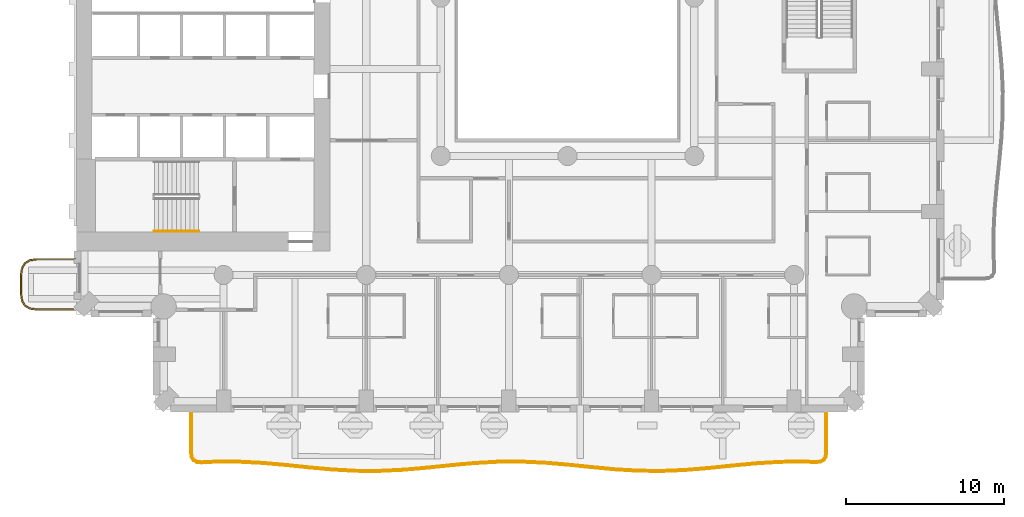
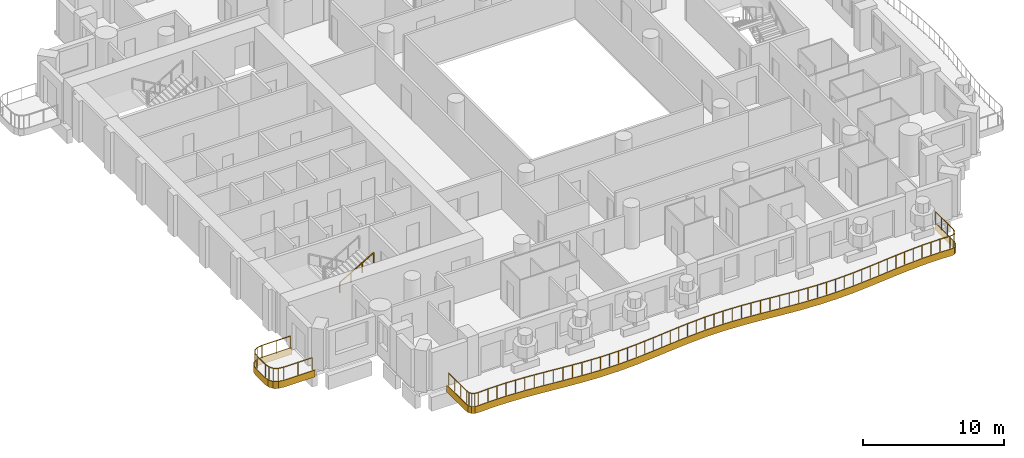
# One storey, part 13 of 20: 3 railings, 2 coverings.
"""IFC4 building model written with IfcOpenShell, lengths in metres."""

from ifc_helpers import new_model, si_unit, direction, frame, origin, origin_2d, place, context, subcontext, project, spatial, polyline, rectangle, outline, extrude, material, layer, layer_set, type_object, element, save


model = new_model("IFC4")

# Units and contexts
model_context = context("Model", 3, precision=1e-05, world=origin(), true_north=direction((0.0, 1.0)))
body_context = subcontext(model_context, "Body", "Model", "MODEL_VIEW")
ifc_project = project(units=[si_unit("LENGTHUNIT", "METRE"), si_unit("AREAUNIT", "SQUARE_METRE"), si_unit("VOLUMEUNIT", "CUBIC_METRE"), si_unit("PLANEANGLEUNIT", "RADIAN"), si_unit("MASSUNIT", "GRAM", prefix="KILO")], contexts=[model_context])

# Site, building, storey
site_placement = place(None, origin())
site = spatial("IfcSite", under=ifc_project, at=site_placement, CompositionType="ELEMENT")
building_placement = place(site_placement, origin())
building = spatial("IfcBuilding", under=site, at=building_placement, Name="Cypress Arch Tower", CompositionType="ELEMENT")
storey_placement = place(building_placement, frame((0.0, 0.0, 62.699951171875)))
storey = spatial("IfcBuildingStorey", under=building, at=storey_placement, Name="L09", CompositionType="ELEMENT", Elevation=62.699951171875)

# Coverings
ifc_material_1 = material(Name="White powder-coated aluminium fascia", Category="aluminium")
ifc_layer = layer(ifc_material_1, 0.050048828125)
ifc_layer_set = layer_set([ifc_layer], Name="Balcony fascia BF50")
covering_type = type_object("IfcCoveringType", Name="Balcony fascia BF50", PredefinedType="CLADDING", material=ifc_layer_set)
covering_1_placement = place(storey_placement, frame((0.0, 0.0, -0.599853515625)))
element("IfcCovering", 1, at=covering_1_placement, inside=storey, type_object=covering_type, Name="Balcony fascia L09-A00W1", PredefinedType="CLADDING", context=body_context, shape_type="SweptSolid", body=[
    extrude(outline(polyline([(-32.503662109375, -19.75), (-32.95458984375, -19.685546875), (-33.286376953125, -19.486328125), (-33.485595703125, -19.154541015625), (-33.550048828125, -18.70361328125), (-33.550048828125, -17.496337890625), (-33.485595703125, -17.04541015625), (-33.286376953125, -16.713623046875), (-32.95458984375, -16.514404296875), (-32.503662109375, -16.449951171875), (-30.0009765625, -16.449951171875), (-30.0009765625, -16.5), (-32.5, -16.5), (-32.9375, -16.5625), (-33.25, -16.75), (-33.4375, -17.0625), (-33.5, -17.5), (-33.5, -18.699951171875), (-33.4375, -19.137451171875), (-33.25, -19.449951171875), (-32.9375, -19.637451171875), (-32.5, -19.699951171875), (-30.0009765625, -19.699951171875), (-30.0009765625, -19.75), (-32.503662109375, -19.75)])), origin(), (0.0, 0.0, 1.0), 0.599853515625),
])
covering_2_placement = place(storey_placement, frame((0.0, 0.0, -0.599853515625)))
element("IfcCovering", 2, at=covering_2_placement, inside=storey, type_object=covering_type, Name="Balcony fascia L09-A03", PredefinedType="CLADDING", context=body_context, shape_type="SweptSolid", body=[
    extrude(outline(polyline([(17.39990234375, -28.695068359375), (17.356201171875, -29.0), (17.21875, -29.223876953125), (16.989501953125, -29.3525390625), (16.683349609375, -29.384521484375), (15.8642578125, -29.3525390625), (14.381591796875, -29.37255859375), (12.8984375, -29.465576171875), (11.414306640625, -29.60693359375), (9.9287109375, -29.759765625), (8.442138671875, -29.8837890625), (6.95458984375, -29.9462890625), (5.466796875, -29.9306640625), (3.9794921875, -29.84130859375), (2.4931640625, -29.70166015625), (1.00830078125, -29.54833984375), (-0.4755859375, -29.421875), (-1.958251953125, -29.35546875), (-3.44091796875, -29.365966796875), (-4.924072265625, -29.451416015625), (-6.408203125, -29.588623046875), (-7.893310546875, -29.7421875), (-9.3798828125, -29.87158203125), (-10.867431640625, -29.942626953125), (-12.355224609375, -29.936767578125), (-13.842529296875, -29.855224609375), (-15.328857421875, -29.719970703125), (-16.81396484375, -29.566162109375), (-18.2978515625, -29.4345703125), (-19.78076171875, -29.359375), (-21.263427734375, -29.360595703125), (-22.08251953125, -29.4033203125), (-22.388916015625, -29.375244140625), (-22.618408203125, -29.249267578125), (-22.75634765625, -29.026611328125), (-22.800048828125, -28.72216796875), (-22.800048828125, -26.0009765625), (-22.75, -26.0009765625), (-22.75, -28.71875), (-22.708251953125, -29.00927734375), (-22.5830078125, -29.2119140625), (-22.3740234375, -29.326416015625), (-22.081787109375, -29.35302734375), (-21.264892578125, -29.310546875), (-19.779541015625, -29.309326171875), (-18.29443359375, -29.384521484375), (-16.809326171875, -29.516357421875), (-15.323974609375, -29.670166015625), (-13.8388671875, -29.805419921875), (-12.353759765625, -29.88671875), (-10.868408203125, -29.892822265625), (-9.38330078125, -29.82177734375), (-7.898193359375, -29.692626953125), (-6.412841796875, -29.5390625), (-4.927734375, -29.4013671875), (-3.442626953125, -29.316162109375), (-1.95751953125, -29.305419921875), (-0.47216796875, -29.3720703125), (1.012939453125, -29.498779296875), (2.498046875, -29.65185546875), (3.9833984375, -29.79150390625), (5.468505859375, -29.880859375), (6.95361328125, -29.896240234375), (8.43896484375, -29.833984375), (9.924072265625, -29.7099609375), (11.4091796875, -29.557373046875), (12.89453125, -29.415771484375), (14.379638671875, -29.32275390625), (15.86474609375, -29.302490234375), (16.681640625, -29.334228515625), (16.97412109375, -29.303955078125), (17.182861328125, -29.186767578125), (17.308349609375, -28.982666015625), (17.35009765625, -28.691650390625), (17.35009765625, -26.0009765625), (17.39990234375, -26.0009765625), (17.39990234375, -28.695068359375)])), origin(), (0.0, 0.0, 1.0), 0.599853515625),
])

# Railings
ifc_material_2 = material(Name="Powder-coated steel posts and rods, 100 mm clear between rods", Category="steel")
railing_type_1 = type_object("IfcRailingType", Name="Balcony guard GR1100", PredefinedType="GUARDRAIL", material=ifc_material_2)
railing_1_placement = place(storey_placement, frame((-30.14990234375, -19.64990234375, 0.0)))
element("IfcRailing", 3, at=railing_1_placement, inside=storey, type_object=railing_type_1, Name="Balcony guard L09-A00W1", PredefinedType="GUARDRAIL", context=body_context, shape_type="SweptSolid", body=[
    extrude(rectangle(XDim=0.050048828125, YDim=0.050048828125, at=origin_2d()), frame((0.0, 0.0, 1.0751953125), z_axis=(-1.0, 0.0, 0.0), x_axis=(0.0, -1.0, 0.0)), (0.0, 0.0, 1.0), 2.346435546875),
    extrude(rectangle(XDim=0.050048828125, YDim=0.050048828125, at=origin_2d()), frame((-2.346435546875, 0.0, 1.0751953125), z_axis=(-0.989960888959, 0.141341566184, 0.0), x_axis=(-0.141341566184, -0.989960888959, 0.0)), (0.0, 0.0, 1.0), 0.428466796875),
    extrude(rectangle(XDim=0.050048828125, YDim=0.050048828125, at=origin_2d()), frame((-2.7705078125, 0.060546875, 1.0751953125), z_axis=(-0.857681904839, 0.514180659021, 0.0), x_axis=(-0.514180659021, -0.857681904839, 0.0)), (0.0, 0.0, 1.0), 0.341796875),
    extrude(rectangle(XDim=0.050048828125, YDim=0.050048828125, at=origin_2d()), frame((-3.063720703125, 0.236328125, 1.0751953125), z_axis=(-0.514180659021, 0.857681904839, 0.0), x_axis=(-0.857681904839, -0.514180659021, 0.0)), (0.0, 0.0, 1.0), 0.341796875),
    extrude(rectangle(XDim=0.050048828125, YDim=0.050048828125, at=origin_2d()), frame((-3.239501953125, 0.529541015625, 1.0751953125), z_axis=(-0.141421356237, 0.989949493661, 0.0), x_axis=(-0.989949493661, -0.141421356237, 0.0)), (0.0, 0.0, 1.0), 0.42822265625),
    extrude(rectangle(XDim=0.050048828125, YDim=0.050048828125, at=origin_2d()), frame((-3.300048828125, 0.953369140625, 1.0751953125), z_axis=(0.0, 1.0, 0.0), x_axis=(-1.0, 0.0, 0.0)), (0.0, 0.0, 1.0), 1.19287109375),
    extrude(rectangle(XDim=0.050048828125, YDim=0.050048828125, at=origin_2d()), frame((-3.300048828125, 2.146240234375, 1.0751953125), z_axis=(0.141341566184, 0.989960888959, 0.0), x_axis=(-0.989960888959, 0.141341566184, 0.0)), (0.0, 0.0, 1.0), 0.428466796875),
    extrude(rectangle(XDim=0.050048828125, YDim=0.050048828125, at=origin_2d()), frame((-3.239501953125, 2.5703125, 1.0751953125), z_axis=(0.514180659021, 0.857681904839, 0.0), x_axis=(-0.857681904839, 0.514180659021, 0.0)), (0.0, 0.0, 1.0), 0.341796875),
    extrude(rectangle(XDim=0.050048828125, YDim=0.050048828125, at=origin_2d()), frame((-3.063720703125, 2.863525390625, 1.0751953125), z_axis=(0.857681904839, 0.514180659021, 0.0), x_axis=(-0.514180659021, 0.857681904839, 0.0)), (0.0, 0.0, 1.0), 0.341796875),
    extrude(rectangle(XDim=0.050048828125, YDim=0.050048828125, at=origin_2d()), frame((-2.7705078125, 3.039306640625, 1.0751953125), z_axis=(0.989960888959, 0.141341566184, 0.0), x_axis=(-0.141341566184, 0.989960888959, 0.0)), (0.0, 0.0, 1.0), 0.428466796875),
    extrude(rectangle(XDim=0.050048828125, YDim=0.050048828125, at=origin_2d()), frame((-2.346435546875, 3.099853515625, 1.0751953125), z_axis=(1.0, 0.0, 0.0), x_axis=(0.0, 1.0, 0.0)), (0.0, 0.0, 1.0), 2.346435546875),
    extrude(rectangle(XDim=0.0400390625, YDim=0.0400390625, at=origin_2d()), origin(), (0.0, 0.0, 1.0), 1.050048828125),
    extrude(rectangle(XDim=0.0400390625, YDim=0.0400390625, at=origin_2d()), frame((-1.17333984375, 0.0, 0.0)), (0.0, 0.0, 1.0), 1.050048828125),
    extrude(rectangle(XDim=0.0400390625, YDim=0.0400390625, at=origin_2d()), frame((-2.346435546875, 0.0, 0.0)), (0.0, 0.0, 1.0), 1.050048828125),
    extrude(rectangle(XDim=0.0400390625, YDim=0.0400390625, at=origin_2d()), frame((-2.7705078125, 0.060546875, 0.0)), (0.0, 0.0, 1.0), 1.050048828125),
    extrude(rectangle(XDim=0.0400390625, YDim=0.0400390625, at=origin_2d()), frame((-3.063720703125, 0.236328125, 0.0)), (0.0, 0.0, 1.0), 1.050048828125),
    extrude(rectangle(XDim=0.0400390625, YDim=0.0400390625, at=origin_2d()), frame((-3.239501953125, 0.529541015625, 0.0)), (0.0, 0.0, 1.0), 1.050048828125),
    extrude(rectangle(XDim=0.0400390625, YDim=0.0400390625, at=origin_2d()), frame((-3.300048828125, 0.953369140625, 0.0)), (0.0, 0.0, 1.0), 1.050048828125),
    extrude(rectangle(XDim=0.0400390625, YDim=0.0400390625, at=origin_2d()), frame((-3.300048828125, 2.146240234375, 0.0)), (0.0, 0.0, 1.0), 1.050048828125),
    extrude(rectangle(XDim=0.0400390625, YDim=0.0400390625, at=origin_2d()), frame((-3.239501953125, 2.5703125, 0.0)), (0.0, 0.0, 1.0), 1.050048828125),
    extrude(rectangle(XDim=0.0400390625, YDim=0.0400390625, at=origin_2d()), frame((-3.063720703125, 2.863525390625, 0.0)), (0.0, 0.0, 1.0), 1.050048828125),
    extrude(rectangle(XDim=0.0400390625, YDim=0.0400390625, at=origin_2d()), frame((-2.7705078125, 3.039306640625, 0.0)), (0.0, 0.0, 1.0), 1.050048828125),
    extrude(rectangle(XDim=0.0400390625, YDim=0.0400390625, at=origin_2d()), frame((-2.346435546875, 3.099853515625, 0.0)), (0.0, 0.0, 1.0), 1.050048828125),
    extrude(rectangle(XDim=0.0400390625, YDim=0.0400390625, at=origin_2d()), frame((-1.17333984375, 3.099853515625, 0.0)), (0.0, 0.0, 1.0), 1.050048828125),
    extrude(rectangle(XDim=0.0400390625, YDim=0.0400390625, at=origin_2d()), frame((0.0, 3.099853515625, 0.0)), (0.0, 0.0, 1.0), 1.050048828125),
])
railing_2_placement = place(storey_placement, frame((17.300048828125, -26.14990234375, 0.0)))
element("IfcRailing", 4, at=railing_2_placement, inside=storey, type_object=railing_type_1, Name="Balcony guard L09-A03", PredefinedType="GUARDRAIL", context=body_context, shape_type="SweptSolid", body=[
    extrude(rectangle(XDim=0.050048828125, YDim=0.050048828125, at=origin_2d()), frame((0.0, 0.0, 1.0751953125), z_axis=(0.0, -1.0, 0.0), x_axis=(1.0, 0.0, 0.0)), (0.0, 0.0, 1.0), 2.5380859375),
    extrude(rectangle(XDim=0.050048828125, YDim=0.050048828125, at=origin_2d()), frame((0.0, -2.5380859375, 1.0751953125), z_axis=(-0.142031279674, -0.989862169999, 0.0), x_axis=(0.989862169999, -0.142031279674, 0.0)), (0.0, 0.0, 1.0), 0.2802734375),
    extrude(rectangle(XDim=0.050048828125, YDim=0.050048828125, at=origin_2d()), frame((-0.039794921875, -2.8154296875, 1.0751953125), z_axis=(-0.523277432181, -0.852162384156, 0.0), x_axis=(0.852162384156, -0.523277432181, 0.0)), (0.0, 0.0, 1.0), 0.216064453125),
    extrude(rectangle(XDim=0.050048828125, YDim=0.050048828125, at=origin_2d()), frame((-0.15283203125, -2.99951171875, 1.0751953125), z_axis=(-0.871966889501, -0.489564851285, 0.0), x_axis=(0.489564851285, -0.871966889501, 0.0)), (0.0, 0.0, 1.0), 0.216552734375),
    extrude(rectangle(XDim=0.050048828125, YDim=0.050048828125, at=origin_2d()), frame((-0.341552734375, -3.10546875, 1.0751953125), z_axis=(-0.994694870234, -0.10286940814, 0.0), x_axis=(0.10286940814, -0.994694870234, 0.0)), (0.0, 0.0, 1.0), 0.280029296875),
    extrude(rectangle(XDim=0.050048828125, YDim=0.050048828125, at=origin_2d()), frame((-0.6201171875, -3.13427734375, 1.0751953125), z_axis=(-0.999241579018, 0.038939270166, 0.0), x_axis=(-0.038939270166, -0.999241579018, 0.0)), (0.0, 0.0, 1.0), 0.815185546875),
    extrude(rectangle(XDim=0.050048828125, YDim=0.050048828125, at=origin_2d()), frame((-1.4345703125, -3.1025390625, 1.0751953125), z_axis=(-0.999907261328, -0.013618690957, 0.0), x_axis=(0.013618690957, -0.999907261328, 0.0)), (0.0, 0.0, 1.0), 1.488037109375),
    extrude(rectangle(XDim=0.050048828125, YDim=0.050048828125, at=origin_2d()), frame((-2.92236328125, -3.122802734375, 1.0751953125), z_axis=(-0.998039166584, -0.062592507246, 0.0), x_axis=(0.062592507246, -0.998039166584, 0.0)), (0.0, 0.0, 1.0), 1.489990234375),
    extrude(rectangle(XDim=0.050048828125, YDim=0.050048828125, at=origin_2d()), frame((-4.409423828125, -3.216064453125, 1.0751953125), z_axis=(-0.995492532481, -0.094839958745, 0.0), x_axis=(0.094839958745, -0.995492532481, 0.0)), (0.0, 0.0, 1.0), 1.4931640625),
    extrude(rectangle(XDim=0.050048828125, YDim=0.050048828125, at=origin_2d()), frame((-5.895751953125, -3.357666015625, 1.0751953125), z_axis=(-0.994761413661, -0.102223920345, 0.0), x_axis=(0.102223920345, -0.994761413661, 0.0)), (0.0, 0.0, 1.0), 1.49267578125),
    extrude(rectangle(XDim=0.050048828125, YDim=0.050048828125, at=origin_2d()), frame((-7.380615234375, -3.51025390625, 1.0751953125), z_axis=(-0.996537837192, -0.083140477778, 0.0), x_axis=(0.083140477778, -0.996537837192, 0.0)), (0.0, 0.0, 1.0), 1.48876953125),
    extrude(rectangle(XDim=0.050048828125, YDim=0.050048828125, at=origin_2d()), frame((-8.8642578125, -3.634033203125, 1.0751953125), z_axis=(-0.999119909834, -0.041945271157, 0.0), x_axis=(0.041945271157, -0.999119909834, 0.0)), (0.0, 0.0, 1.0), 1.484130859375),
    extrude(rectangle(XDim=0.050048828125, YDim=0.050048828125, at=origin_2d()), frame((-10.34716796875, -3.6962890625, 1.0751953125), z_axis=(-0.999946196629, 0.010373227464, 0.0), x_axis=(-0.010373227464, -0.999946196629, 0.0)), (0.0, 0.0, 1.0), 1.482666015625),
    extrude(rectangle(XDim=0.050048828125, YDim=0.050048828125, at=origin_2d()), frame((-11.829833984375, -3.680908203125, 1.0751953125), z_axis=(-0.998199930409, 0.059974152197, 0.0), x_axis=(-0.059974152197, -0.998199930409, 0.0)), (0.0, 0.0, 1.0), 1.48583984375),
    extrude(rectangle(XDim=0.050048828125, YDim=0.050048828125, at=origin_2d()), frame((-13.31298828125, -3.591796875, 1.0751953125), z_axis=(-0.995600862752, 0.093695902187, 0.0), x_axis=(-0.093695902187, -0.995600862752, 0.0)), (0.0, 0.0, 1.0), 1.490478515625),
    extrude(rectangle(XDim=0.050048828125, YDim=0.050048828125, at=origin_2d()), frame((-14.796875, -3.4521484375, 1.0751953125), z_axis=(-0.994733254145, 0.102497576064, 0.0), x_axis=(-0.102497576064, -0.994733254145, 0.0)), (0.0, 0.0, 1.0), 1.493408203125),
    extrude(rectangle(XDim=0.050048828125, YDim=0.050048828125, at=origin_2d()), frame((-16.282470703125, -3.299072265625, 1.0751953125), z_axis=(-0.996387114364, 0.084927724151, 0.0), x_axis=(-0.084927724151, -0.996387114364, 0.0)), (0.0, 0.0, 1.0), 1.491943359375),
    extrude(rectangle(XDim=0.050048828125, YDim=0.050048828125, at=origin_2d()), frame((-17.76904296875, -3.17236328125, 1.0751953125), z_axis=(-0.99899039687, 0.044924235802, 0.0), x_axis=(-0.044924235802, -0.99899039687, 0.0)), (0.0, 0.0, 1.0), 1.489013671875),
    extrude(rectangle(XDim=0.050048828125, YDim=0.050048828125, at=origin_2d()), frame((-19.256591796875, -3.10546875, 1.0751953125), z_axis=(-0.999973926699, -0.007221213323, 0.0), x_axis=(0.007221213323, -0.999973926699, 0.0)), (0.0, 0.0, 1.0), 1.487548828125),
    extrude(rectangle(XDim=0.050048828125, YDim=0.050048828125, at=origin_2d()), frame((-20.744140625, -3.1162109375, 1.0751953125), z_axis=(-0.998353685533, -0.057357811874, 0.0), x_axis=(0.057357811874, -0.998353685533, 0.0)), (0.0, 0.0, 1.0), 1.48974609375),
    extrude(rectangle(XDim=0.050048828125, YDim=0.050048828125, at=origin_2d()), frame((-22.2314453125, -3.20166015625, 1.0751953125), z_axis=(-0.995736223874, -0.092246259899, 0.0), x_axis=(0.092246259899, -0.995736223874, 0.0)), (0.0, 0.0, 1.0), 1.49267578125),
    extrude(rectangle(XDim=0.050048828125, YDim=0.050048828125, at=origin_2d()), frame((-23.7177734375, -3.33935546875, 1.0751953125), z_axis=(-0.99469640988, -0.10285451945, 0.0), x_axis=(0.10285451945, -0.99469640988, 0.0)), (0.0, 0.0, 1.0), 1.492919921875),
    extrude(rectangle(XDim=0.050048828125, YDim=0.050048828125, at=origin_2d()), frame((-25.202880859375, -3.492919921875, 1.0751953125), z_axis=(-0.996233819717, -0.086707418662, 0.0), x_axis=(0.086707418662, -0.996233819717, 0.0)), (0.0, 0.0, 1.0), 1.489501953125),
    extrude(rectangle(XDim=0.050048828125, YDim=0.050048828125, at=origin_2d()), frame((-26.686767578125, -3.6220703125, 1.0751953125), z_axis=(-0.998862177003, -0.047690159916, 0.0), x_axis=(0.047690159916, -0.998862177003, 0.0)), (0.0, 0.0, 1.0), 1.484619140625),
    extrude(rectangle(XDim=0.050048828125, YDim=0.050048828125, at=origin_2d()), frame((-28.169677734375, -3.69287109375, 1.0751953125), z_axis=(-0.999991526986, 0.004116546711, 0.0), x_axis=(-0.004116546711, -0.999991526986, 0.0)), (0.0, 0.0, 1.0), 1.482666015625),
    extrude(rectangle(XDim=0.050048828125, YDim=0.050048828125, at=origin_2d()), frame((-29.65234375, -3.686767578125, 1.0751953125), z_axis=(-0.998509524665, 0.054577734967, 0.0), x_axis=(-0.054577734967, -0.998509524665, 0.0)), (0.0, 0.0, 1.0), 1.485107421875),
    extrude(rectangle(XDim=0.050048828125, YDim=0.050048828125, at=origin_2d()), frame((-31.13525390625, -3.605712890625, 1.0751953125), z_axis=(-0.995873039791, 0.090757306143, 0.0), x_axis=(-0.090757306143, -0.995873039791, 0.0)), (0.0, 0.0, 1.0), 1.490234375),
    extrude(rectangle(XDim=0.050048828125, YDim=0.050048828125, at=origin_2d()), frame((-32.619384765625, -3.470458984375, 1.0751953125), z_axis=(-0.994679667362, 0.103016306171, 0.0), x_axis=(-0.103016306171, -0.994679667362, 0.0)), (0.0, 0.0, 1.0), 1.4931640625),
    extrude(rectangle(XDim=0.050048828125, YDim=0.050048828125, at=origin_2d()), frame((-34.1044921875, -3.316650390625, 1.0751953125), z_axis=(-0.996090574076, 0.088337807522, 0.0), x_axis=(-0.088337807522, -0.996090574076, 0.0)), (0.0, 0.0, 1.0), 1.492431640625),
    extrude(rectangle(XDim=0.050048828125, YDim=0.050048828125, at=origin_2d()), frame((-35.591064453125, -3.184814453125, 1.0751953125), z_axis=(-0.998724383761, 0.050493616251, 0.0), x_axis=(-0.050493616251, -0.998724383761, 0.0)), (0.0, 0.0, 1.0), 1.4892578125),
    extrude(rectangle(XDim=0.050048828125, YDim=0.050048828125, at=origin_2d()), frame((-37.078369140625, -3.109619140625, 1.0751953125), z_axis=(-0.999999663407, -0.000820478884, 0.0), x_axis=(0.000820478884, -0.999999663407, 0.0)), (0.0, 0.0, 1.0), 1.48779296875),
    extrude(rectangle(XDim=0.050048828125, YDim=0.050048828125, at=origin_2d()), frame((-38.566162109375, -3.11083984375, 1.0751953125), z_axis=(-0.998658855923, -0.051773443834, 0.0), x_axis=(0.051773443834, -0.998658855923, 0.0)), (0.0, 0.0, 1.0), 0.815673828125),
    extrude(rectangle(XDim=0.050048828125, YDim=0.050048828125, at=origin_2d()), frame((-39.380859375, -3.153076171875, 1.0751953125), z_axis=(-0.995864515145, 0.090850797873, 0.0), x_axis=(-0.090850797873, -0.995864515145, 0.0)), (0.0, 0.0, 1.0), 0.279541015625),
    extrude(rectangle(XDim=0.050048828125, YDim=0.050048828125, at=origin_2d()), frame((-39.6591796875, -3.127685546875, 1.0751953125), z_axis=(-0.876719603344, 0.481001805726, 0.0), x_axis=(-0.481001805726, -0.876719603344, 0.0)), (0.0, 0.0, 1.0), 0.214599609375),
    extrude(rectangle(XDim=0.050048828125, YDim=0.050048828125, at=origin_2d()), frame((-39.847412109375, -3.0244140625, 1.0751953125), z_axis=(-0.525492880722, 0.850797997359, 0.0), x_axis=(-0.850797997359, -0.525492880722, 0.0)), (0.0, 0.0, 1.0), 0.214599609375),
    extrude(rectangle(XDim=0.050048828125, YDim=0.050048828125, at=origin_2d()), frame((-39.960205078125, -2.841796875, 1.0751953125), z_axis=(-0.142399739356, 0.989809231232, 0.0), x_axis=(-0.989809231232, -0.142399739356, 0.0)), (0.0, 0.0, 1.0), 0.279541015625),
    extrude(rectangle(XDim=0.050048828125, YDim=0.050048828125, at=origin_2d()), frame((-40.0, -2.565185546875, 1.0751953125), z_axis=(0.0, 1.0, 0.0), x_axis=(-1.0, 0.0, 0.0)), (0.0, 0.0, 1.0), 2.565185546875),
    extrude(rectangle(XDim=0.0400390625, YDim=0.0400390625, at=origin_2d()), origin(), (0.0, 0.0, 1.0), 1.050048828125),
    extrude(rectangle(XDim=0.0400390625, YDim=0.0400390625, at=origin_2d()), frame((0.0, -0.845947265625, 0.0)), (0.0, 0.0, 1.0), 1.050048828125),
    extrude(rectangle(XDim=0.0400390625, YDim=0.0400390625, at=origin_2d()), frame((0.0, -1.692138671875, 0.0)), (0.0, 0.0, 1.0), 1.050048828125),
    extrude(rectangle(XDim=0.0400390625, YDim=0.0400390625, at=origin_2d()), frame((0.0, -2.5380859375, 0.0)), (0.0, 0.0, 1.0), 1.050048828125),
    extrude(rectangle(XDim=0.0400390625, YDim=0.0400390625, at=origin_2d()), frame((-0.039794921875, -2.8154296875, 0.0)), (0.0, 0.0, 1.0), 1.050048828125),
    extrude(rectangle(XDim=0.0400390625, YDim=0.0400390625, at=origin_2d()), frame((-0.15283203125, -2.99951171875, 0.0)), (0.0, 0.0, 1.0), 1.050048828125),
    extrude(rectangle(XDim=0.0400390625, YDim=0.0400390625, at=origin_2d()), frame((-0.341552734375, -3.10546875, 0.0)), (0.0, 0.0, 1.0), 1.050048828125),
    extrude(rectangle(XDim=0.0400390625, YDim=0.0400390625, at=origin_2d()), frame((-0.6201171875, -3.13427734375, 0.0)), (0.0, 0.0, 1.0), 1.050048828125),
    extrude(rectangle(XDim=0.0400390625, YDim=0.0400390625, at=origin_2d()), frame((-1.4345703125, -3.1025390625, 0.0)), (0.0, 0.0, 1.0), 1.050048828125),
    extrude(rectangle(XDim=0.0400390625, YDim=0.0400390625, at=origin_2d()), frame((-2.178466796875, -3.11279296875, 0.0)), (0.0, 0.0, 1.0), 1.050048828125),
    extrude(rectangle(XDim=0.0400390625, YDim=0.0400390625, at=origin_2d()), frame((-2.92236328125, -3.122802734375, 0.0)), (0.0, 0.0, 1.0), 1.050048828125),
    extrude(rectangle(XDim=0.0400390625, YDim=0.0400390625, at=origin_2d()), frame((-3.666015625, -3.16943359375, 0.0)), (0.0, 0.0, 1.0), 1.050048828125),
    extrude(rectangle(XDim=0.0400390625, YDim=0.0400390625, at=origin_2d()), frame((-4.409423828125, -3.216064453125, 0.0)), (0.0, 0.0, 1.0), 1.050048828125),
    extrude(rectangle(XDim=0.0400390625, YDim=0.0400390625, at=origin_2d()), frame((-5.152587890625, -3.286865234375, 0.0)), (0.0, 0.0, 1.0), 1.050048828125),
    extrude(rectangle(XDim=0.0400390625, YDim=0.0400390625, at=origin_2d()), frame((-5.895751953125, -3.357666015625, 0.0)), (0.0, 0.0, 1.0), 1.050048828125),
    extrude(rectangle(XDim=0.0400390625, YDim=0.0400390625, at=origin_2d()), frame((-6.63818359375, -3.43408203125, 0.0)), (0.0, 0.0, 1.0), 1.050048828125),
    extrude(rectangle(XDim=0.0400390625, YDim=0.0400390625, at=origin_2d()), frame((-7.380615234375, -3.51025390625, 0.0)), (0.0, 0.0, 1.0), 1.050048828125),
    extrude(rectangle(XDim=0.0400390625, YDim=0.0400390625, at=origin_2d()), frame((-8.12255859375, -3.572265625, 0.0)), (0.0, 0.0, 1.0), 1.050048828125),
    extrude(rectangle(XDim=0.0400390625, YDim=0.0400390625, at=origin_2d()), frame((-8.8642578125, -3.634033203125, 0.0)), (0.0, 0.0, 1.0), 1.050048828125),
    extrude(rectangle(XDim=0.0400390625, YDim=0.0400390625, at=origin_2d()), frame((-9.605712890625, -3.6650390625, 0.0)), (0.0, 0.0, 1.0), 1.050048828125),
    extrude(rectangle(XDim=0.0400390625, YDim=0.0400390625, at=origin_2d()), frame((-10.34716796875, -3.6962890625, 0.0)), (0.0, 0.0, 1.0), 1.050048828125),
    extrude(rectangle(XDim=0.0400390625, YDim=0.0400390625, at=origin_2d()), frame((-11.08837890625, -3.6884765625, 0.0)), (0.0, 0.0, 1.0), 1.050048828125),
    extrude(rectangle(XDim=0.0400390625, YDim=0.0400390625, at=origin_2d()), frame((-11.829833984375, -3.680908203125, 0.0)), (0.0, 0.0, 1.0), 1.050048828125),
    extrude(rectangle(XDim=0.0400390625, YDim=0.0400390625, at=origin_2d()), frame((-12.5712890625, -3.63623046875, 0.0)), (0.0, 0.0, 1.0), 1.050048828125),
    extrude(rectangle(XDim=0.0400390625, YDim=0.0400390625, at=origin_2d()), frame((-13.31298828125, -3.591796875, 0.0)), (0.0, 0.0, 1.0), 1.050048828125),
    extrude(rectangle(XDim=0.0400390625, YDim=0.0400390625, at=origin_2d()), frame((-14.054931640625, -3.52197265625, 0.0)), (0.0, 0.0, 1.0), 1.050048828125),
    extrude(rectangle(XDim=0.0400390625, YDim=0.0400390625, at=origin_2d()), frame((-14.796875, -3.4521484375, 0.0)), (0.0, 0.0, 1.0), 1.050048828125),
    extrude(rectangle(XDim=0.0400390625, YDim=0.0400390625, at=origin_2d()), frame((-15.53955078125, -3.37548828125, 0.0)), (0.0, 0.0, 1.0), 1.050048828125),
    extrude(rectangle(XDim=0.0400390625, YDim=0.0400390625, at=origin_2d()), frame((-16.282470703125, -3.299072265625, 0.0)), (0.0, 0.0, 1.0), 1.050048828125),
    extrude(rectangle(XDim=0.0400390625, YDim=0.0400390625, at=origin_2d()), frame((-17.02587890625, -3.23583984375, 0.0)), (0.0, 0.0, 1.0), 1.050048828125),
    extrude(rectangle(XDim=0.0400390625, YDim=0.0400390625, at=origin_2d()), frame((-17.76904296875, -3.17236328125, 0.0)), (0.0, 0.0, 1.0), 1.050048828125),
    extrude(rectangle(XDim=0.0400390625, YDim=0.0400390625, at=origin_2d()), frame((-18.5126953125, -3.138916015625, 0.0)), (0.0, 0.0, 1.0), 1.050048828125),
    extrude(rectangle(XDim=0.0400390625, YDim=0.0400390625, at=origin_2d()), frame((-19.256591796875, -3.10546875, 0.0)), (0.0, 0.0, 1.0), 1.050048828125),
    extrude(rectangle(XDim=0.0400390625, YDim=0.0400390625, at=origin_2d()), frame((-20.00048828125, -3.11083984375, 0.0)), (0.0, 0.0, 1.0), 1.050048828125),
    extrude(rectangle(XDim=0.0400390625, YDim=0.0400390625, at=origin_2d()), frame((-20.744140625, -3.1162109375, 0.0)), (0.0, 0.0, 1.0), 1.050048828125),
    extrude(rectangle(XDim=0.0400390625, YDim=0.0400390625, at=origin_2d()), frame((-21.48779296875, -3.158935546875, 0.0)), (0.0, 0.0, 1.0), 1.050048828125),
    extrude(rectangle(XDim=0.0400390625, YDim=0.0400390625, at=origin_2d()), frame((-22.2314453125, -3.20166015625, 0.0)), (0.0, 0.0, 1.0), 1.050048828125),
    extrude(rectangle(XDim=0.0400390625, YDim=0.0400390625, at=origin_2d()), frame((-22.974609375, -3.2705078125, 0.0)), (0.0, 0.0, 1.0), 1.050048828125),
    extrude(rectangle(XDim=0.0400390625, YDim=0.0400390625, at=origin_2d()), frame((-23.7177734375, -3.33935546875, 0.0)), (0.0, 0.0, 1.0), 1.050048828125),
    extrude(rectangle(XDim=0.0400390625, YDim=0.0400390625, at=origin_2d()), frame((-24.46044921875, -3.416015625, 0.0)), (0.0, 0.0, 1.0), 1.050048828125),
    extrude(rectangle(XDim=0.0400390625, YDim=0.0400390625, at=origin_2d()), frame((-25.202880859375, -3.492919921875, 0.0)), (0.0, 0.0, 1.0), 1.050048828125),
    extrude(rectangle(XDim=0.0400390625, YDim=0.0400390625, at=origin_2d()), frame((-25.94482421875, -3.5576171875, 0.0)), (0.0, 0.0, 1.0), 1.050048828125),
    extrude(rectangle(XDim=0.0400390625, YDim=0.0400390625, at=origin_2d()), frame((-26.686767578125, -3.6220703125, 0.0)), (0.0, 0.0, 1.0), 1.050048828125),
    extrude(rectangle(XDim=0.0400390625, YDim=0.0400390625, at=origin_2d()), frame((-27.42822265625, -3.657470703125, 0.0)), (0.0, 0.0, 1.0), 1.050048828125),
    extrude(rectangle(XDim=0.0400390625, YDim=0.0400390625, at=origin_2d()), frame((-28.169677734375, -3.69287109375, 0.0)), (0.0, 0.0, 1.0), 1.050048828125),
    extrude(rectangle(XDim=0.0400390625, YDim=0.0400390625, at=origin_2d()), frame((-28.9111328125, -3.68994140625, 0.0)), (0.0, 0.0, 1.0), 1.050048828125),
    extrude(rectangle(XDim=0.0400390625, YDim=0.0400390625, at=origin_2d()), frame((-29.65234375, -3.686767578125, 0.0)), (0.0, 0.0, 1.0), 1.050048828125),
    extrude(rectangle(XDim=0.0400390625, YDim=0.0400390625, at=origin_2d()), frame((-30.393798828125, -3.646240234375, 0.0)), (0.0, 0.0, 1.0), 1.050048828125),
    extrude(rectangle(XDim=0.0400390625, YDim=0.0400390625, at=origin_2d()), frame((-31.13525390625, -3.605712890625, 0.0)), (0.0, 0.0, 1.0), 1.050048828125),
    extrude(rectangle(XDim=0.0400390625, YDim=0.0400390625, at=origin_2d()), frame((-31.87744140625, -3.5380859375, 0.0)), (0.0, 0.0, 1.0), 1.050048828125),
    extrude(rectangle(XDim=0.0400390625, YDim=0.0400390625, at=origin_2d()), frame((-32.619384765625, -3.470458984375, 0.0)), (0.0, 0.0, 1.0), 1.050048828125),
    extrude(rectangle(XDim=0.0400390625, YDim=0.0400390625, at=origin_2d()), frame((-33.36181640625, -3.3935546875, 0.0)), (0.0, 0.0, 1.0), 1.050048828125),
    extrude(rectangle(XDim=0.0400390625, YDim=0.0400390625, at=origin_2d()), frame((-34.1044921875, -3.316650390625, 0.0)), (0.0, 0.0, 1.0), 1.050048828125),
    extrude(rectangle(XDim=0.0400390625, YDim=0.0400390625, at=origin_2d()), frame((-34.84765625, -3.250732421875, 0.0)), (0.0, 0.0, 1.0), 1.050048828125),
    extrude(rectangle(XDim=0.0400390625, YDim=0.0400390625, at=origin_2d()), frame((-35.591064453125, -3.184814453125, 0.0)), (0.0, 0.0, 1.0), 1.050048828125),
    extrude(rectangle(XDim=0.0400390625, YDim=0.0400390625, at=origin_2d()), frame((-36.334716796875, -3.147216796875, 0.0)), (0.0, 0.0, 1.0), 1.050048828125),
    extrude(rectangle(XDim=0.0400390625, YDim=0.0400390625, at=origin_2d()), frame((-37.078369140625, -3.109619140625, 0.0)), (0.0, 0.0, 1.0), 1.050048828125),
    extrude(rectangle(XDim=0.0400390625, YDim=0.0400390625, at=origin_2d()), frame((-37.822265625, -3.1103515625, 0.0)), (0.0, 0.0, 1.0), 1.050048828125),
    extrude(rectangle(XDim=0.0400390625, YDim=0.0400390625, at=origin_2d()), frame((-38.566162109375, -3.11083984375, 0.0)), (0.0, 0.0, 1.0), 1.050048828125),
    extrude(rectangle(XDim=0.0400390625, YDim=0.0400390625, at=origin_2d()), frame((-39.380859375, -3.153076171875, 0.0)), (0.0, 0.0, 1.0), 1.050048828125),
    extrude(rectangle(XDim=0.0400390625, YDim=0.0400390625, at=origin_2d()), frame((-39.6591796875, -3.127685546875, 0.0)), (0.0, 0.0, 1.0), 1.050048828125),
    extrude(rectangle(XDim=0.0400390625, YDim=0.0400390625, at=origin_2d()), frame((-39.847412109375, -3.0244140625, 0.0)), (0.0, 0.0, 1.0), 1.050048828125),
    extrude(rectangle(XDim=0.0400390625, YDim=0.0400390625, at=origin_2d()), frame((-39.960205078125, -2.841796875, 0.0)), (0.0, 0.0, 1.0), 1.050048828125),
    extrude(rectangle(XDim=0.0400390625, YDim=0.0400390625, at=origin_2d()), frame((-40.0, -2.565185546875, 0.0)), (0.0, 0.0, 1.0), 1.050048828125),
    extrude(rectangle(XDim=0.0400390625, YDim=0.0400390625, at=origin_2d()), frame((-40.0, -1.710205078125, 0.0)), (0.0, 0.0, 1.0), 1.050048828125),
    extrude(rectangle(XDim=0.0400390625, YDim=0.0400390625, at=origin_2d()), frame((-40.0, -0.85498046875, 0.0)), (0.0, 0.0, 1.0), 1.050048828125),
    extrude(rectangle(XDim=0.0400390625, YDim=0.0400390625, at=origin_2d()), frame((-40.0, 0.0, 0.0)), (0.0, 0.0, 1.0), 1.050048828125),
])
ifc_material_3 = material(Name="Black powder-coated steel square bar 48 mm", Category="steel")
railing_type_2 = type_object("IfcRailingType", Name="Stair handrail HR1", PredefinedType="HANDRAIL", material=ifc_material_3)
railing_3_placement = place(storey_placement, frame((-25.074951171875, -14.75, 1.963623046875)))
element("IfcRailing", 5, at=railing_3_placement, inside=storey, type_object=railing_type_2, Name="L09 A stair handrail 2", PredefinedType="HANDRAIL", context=body_context, shape_type="SweptSolid", body=[
    extrude(rectangle(XDim=0.048095703125, YDim=0.048095703125, at=origin_2d()), frame((0.0, 0.0, 0.8759765625), z_axis=(0.863360870873, 0.0, 0.504586966384), x_axis=(0.0, 1.0, 0.0)), (0.0, 0.0, 1.0), 3.2431640625),
    extrude(rectangle(XDim=0.0419921875, YDim=0.0419921875, at=origin_2d()), origin(), (0.0, 0.0, 1.0), 0.851806640625),
    extrude(rectangle(XDim=0.0419921875, YDim=0.0419921875, at=origin_2d()), frame((0.933349609375, 0.0, 0.54541015625)), (0.0, 0.0, 1.0), 0.851806640625),
    extrude(rectangle(XDim=0.0419921875, YDim=0.0419921875, at=origin_2d()), frame((1.86669921875, 0.0, 1.091064453125)), (0.0, 0.0, 1.0), 0.851806640625),
    extrude(rectangle(XDim=0.0419921875, YDim=0.0419921875, at=origin_2d()), frame((2.800048828125, 0.0, 1.636474609375)), (0.0, 0.0, 1.0), 0.851806640625),
])

save(model, "model.ifc")
